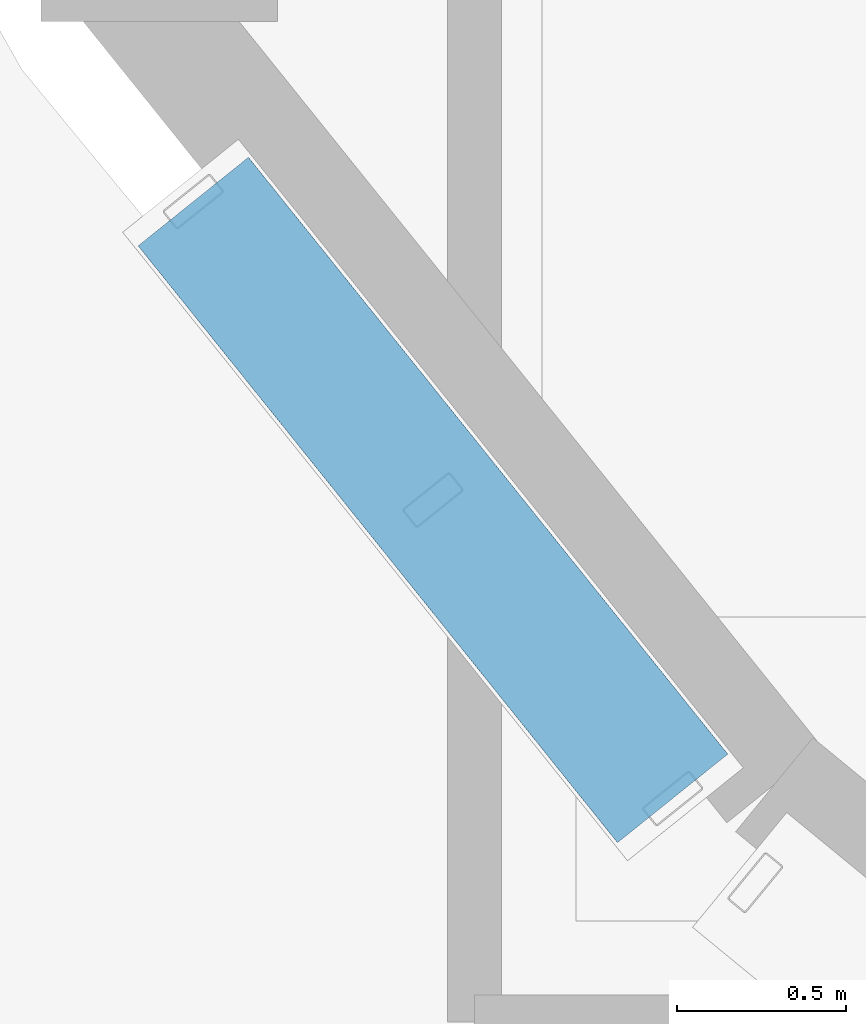
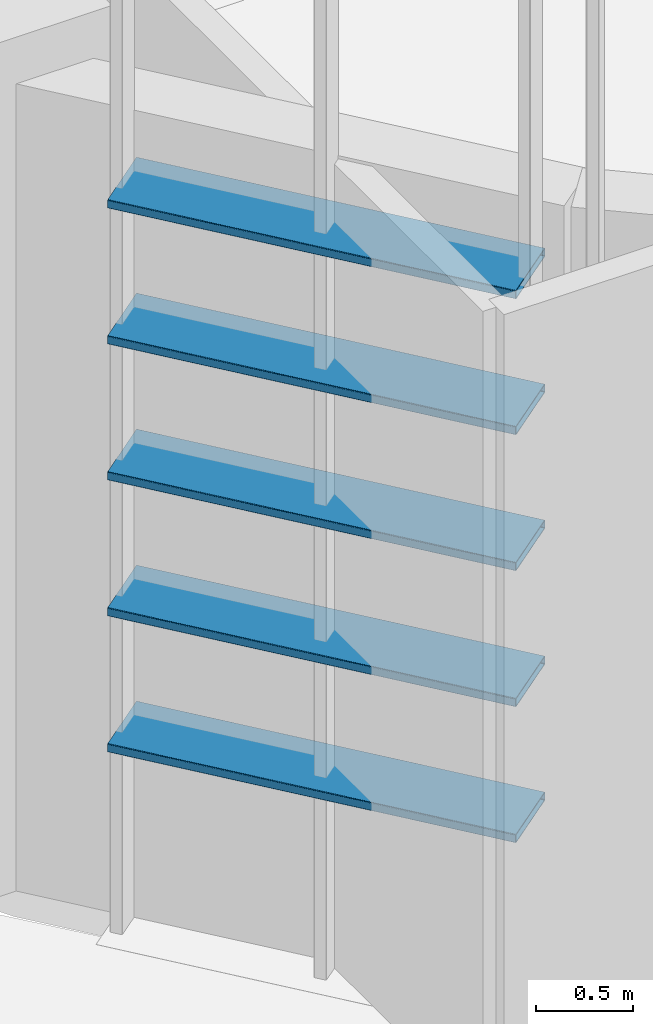
# One storey, part 179 of 372: 5 members.
"""IFC4 building model written with IfcOpenShell, lengths in metres."""

from ifc_helpers import new_model, si_unit, direction, frame, origin, origin_2d, place, context, subcontext, project, spatial, hollow_rectangle, extrude, material, material_profile, profile_set, type_object, element, save


model = new_model("IFC4")

# Units and contexts
model_context = context("Model", 3, precision=1e-05, world=origin(), true_north=direction((0.0, 1.0)))
body_context = subcontext(model_context, "Body", "Model", "MODEL_VIEW")
ifc_project = project(units=[si_unit("LENGTHUNIT", "METRE"), si_unit("AREAUNIT", "SQUARE_METRE"), si_unit("VOLUMEUNIT", "CUBIC_METRE"), si_unit("PLANEANGLEUNIT", "RADIAN"), si_unit("MASSUNIT", "GRAM", prefix="KILO")], contexts=[model_context])

# Site, building, storey
site_placement = place(None, origin())
site = spatial("IfcSite", under=ifc_project, at=site_placement, CompositionType="ELEMENT")
building_placement = place(site_placement, origin())
building = spatial("IfcBuilding", under=site, at=building_placement, Name="Kaelora Sail Theatre", CompositionType="ELEMENT")
storey_placement = place(building_placement, origin())
storey = spatial("IfcBuildingStorey", under=building, at=storey_placement, Name="L00", CompositionType="ELEMENT", Elevation=0.0)

# Members
ifc_material = material(Name="Anodised aluminium 6063-T6", Category="aluminium")
ifc_material_profile = material_profile(ifc_material, hollow_rectangle(XDim=0.419921875, YDim=0.054931640625, WallThickness=0.00390625, InnerFilletRadius=0.00390625, OuterFilletRadius=0.008056640625, at=origin_2d()), Name="LOUVRE 420x55x4")
ifc_profile_set = profile_set([ifc_material_profile], Name="Anodised aluminium 6063-T6")
member_type = type_object("IfcMemberType", Name="ARC-MEM-LVR-420", PredefinedType="USERDEFINED", material=ifc_profile_set)
for number, where, z_axis, x_axis, name in (
    (1, (83.386962890625, 34.462890625, 1.25), (-0.626203094841, 0.779659979742, 0.0), (-0.779659979742, -0.626203094841, 0.0), "Studio Theatre Sail Drum horizontal solar louvre C14-01"),
    (2, (83.386962890625, 34.462890625, 2.110107421875), (-0.626203094841, 0.779659979742, 0.0), (-0.779659979742, -0.626203094841, 0.0), "Studio Theatre Sail Drum horizontal solar louvre C14-02"),
    (3, (83.386962890625, 34.462890625, 2.969970703125), (-0.626203094841, 0.779659979742, 0.0), (-0.779659979742, -0.626203094841, 0.0), "Studio Theatre Sail Drum horizontal solar louvre C14-03"),
    (4, (83.386962890625, 34.462890625, 3.830078125), (-0.626203094841, 0.779659979742, 0.0), (-0.779659979742, -0.626203094841, 0.0), "Studio Theatre Sail Drum horizontal solar louvre C14-04"),
    (5, (83.386962890625, 34.462890625, 4.68994140625), (-0.626203094841, 0.779659979742, 0.0), (-0.779659979742, -0.626203094841, 0.0), "Studio Theatre Sail Drum horizontal solar louvre C14-05"),
):
    element("IfcMember", number, at=place(storey_placement, frame(where, z_axis=z_axis, x_axis=x_axis)), inside=storey, type_object=member_type, Name=name, ObjectType="LOUVRE", PredefinedType="USERDEFINED", context=body_context, shape_type="SweptSolid", body=[
        extrude(hollow_rectangle(XDim=0.419921875, YDim=0.054931640625, WallThickness=0.00390625, InnerFilletRadius=0.00390625, OuterFilletRadius=0.008056640625, at=origin_2d()), origin(), (0.0, 0.0, 1.0), 2.268798828125),
    ])

save(model, "model.ifc")
